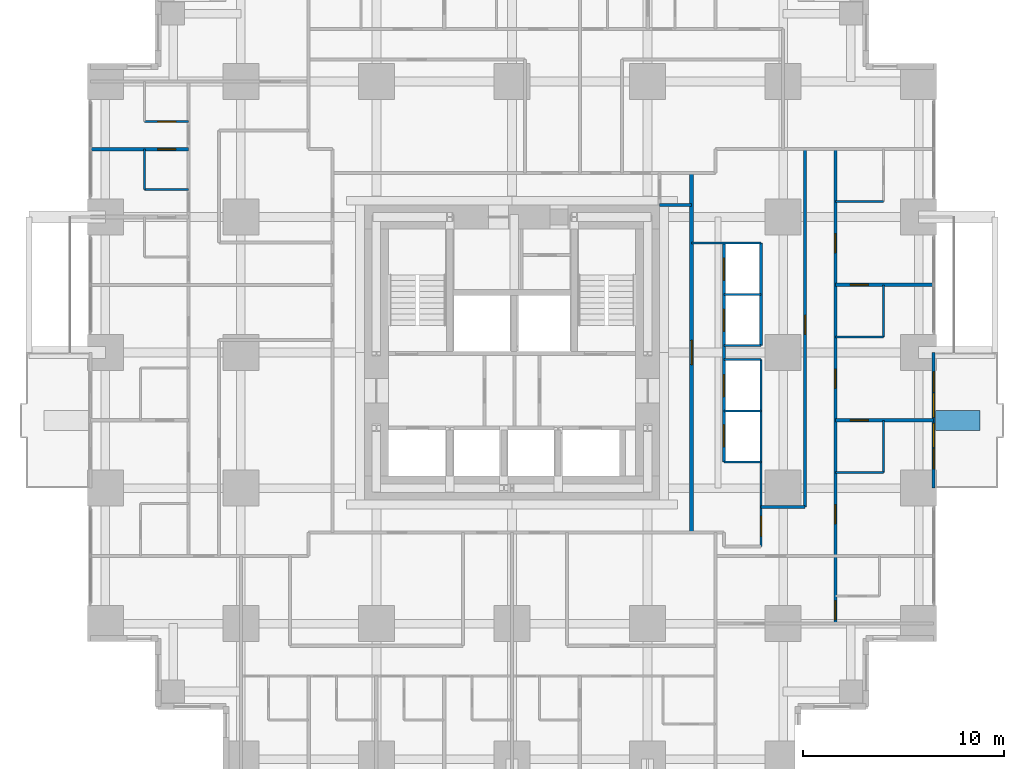
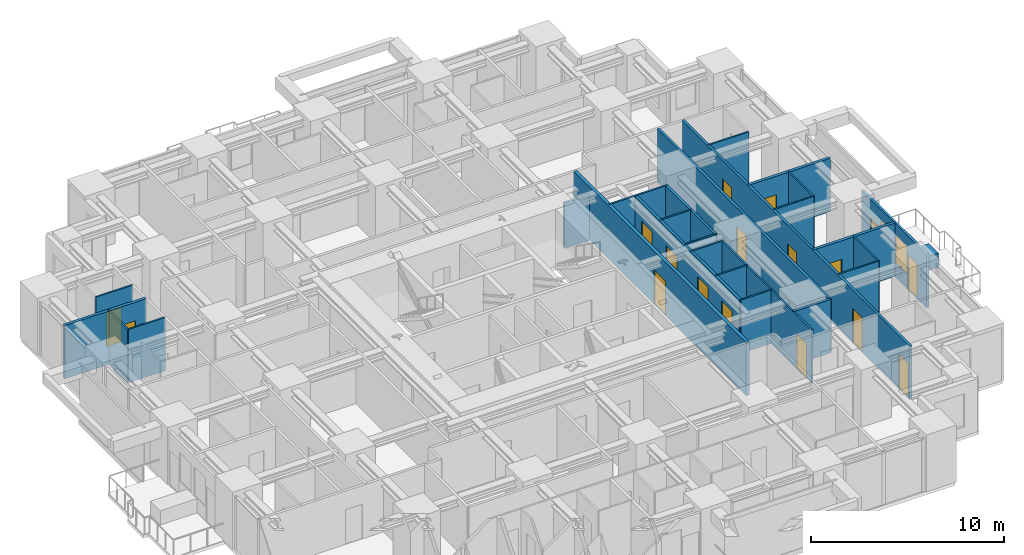
# One storey, part 11 of 14: 27 walls, 17 doors, 2 windows, 19 openings.
"""IFC4 building model written with IfcOpenShell, lengths in metres."""

import ifcopenshell
import ifcopenshell.guid

model = None  # the IFC model being written
_history = None  # IfcOwnerHistory: only IFC2X3 demands one
_inside = {}  # id of a spatial element -> (the spatial element, [elements in it])
_under = {}  # id of a project, library or spatial element -> (it, [spatial elements below it])
_declared = {}  # id of a project -> (the project, [libraries it declares])
_typed = {}  # id of a type object -> (the type object, [elements of that type])
_made_of = {}  # id of a material, layer set ... -> (it, [elements and type objects made of it])


def new_model(schema):
    """Start an empty IFC model of exactly this schema.

    Asked for "IFC4X3", IfcOpenShell would pick the latest addendum, in which some entities
    have other attributes; the version numbers below select the first issue.
    IFC2X3 requires an IfcOwnerHistory on every rooted entity: one is made here for all.
    """
    global model, _history
    if schema == "IFC4X3":
        model = ifcopenshell.file(schema_version=(4, 3, 0, 0))
    else:
        model = ifcopenshell.file(schema=schema)
    _inside.clear()
    _under.clear()
    _declared.clear()
    _typed.clear()
    _made_of.clear()
    _history = None
    if model.schema == "IFC2X3":
        org = make("IfcOrganization", Name="unknown")
        user = make(
            "IfcPersonAndOrganization",
            ThePerson=make("IfcPerson", FamilyName="unknown"),
            TheOrganization=org,
        )
        app = make(
            "IfcApplication",
            ApplicationDeveloper=org,
            Version="unknown",
            ApplicationFullName="unknown",
            ApplicationIdentifier="unknown",
        )
        _history = make(
            "IfcOwnerHistory",
            OwningUser=user,
            OwningApplication=app,
            ChangeAction="ADDED",
            CreationDate=0,
        )
    return model


def make(cls, **values):
    """One entity of the class cls with the attributes given. An attribute that is None is left unset."""
    return model.create_entity(
        cls, **{name: value for name, value in values.items() if value is not None}
    )


def rooted(cls, **values):
    """An entity with a GlobalId (a new one), such as an element, a storey or a relation."""
    return make(cls, GlobalId=ifcopenshell.guid.new(), OwnerHistory=_history, **values)


def si_unit(unit_type, name, prefix=None):
    """IfcSIUnit, for example si_unit("LENGTHUNIT", "METRE", prefix="MILLI")."""
    return make("IfcSIUnit", UnitType=unit_type, Prefix=prefix, Name=name)


def assignment(units):
    """IfcUnitAssignment: the units of a project."""
    return None if units is None else make("IfcUnitAssignment", Units=units)


def point(xyz):
    """IfcCartesianPoint."""
    return None if xyz is None else make("IfcCartesianPoint", Coordinates=xyz)


def direction(xyz):
    """IfcDirection."""
    return None if xyz is None else make("IfcDirection", DirectionRatios=xyz)


def frame(location, z_axis=None, x_axis=None):
    """IfcAxis2Placement3D, a coordinate frame: its origin and axes. An axis left out is left unset."""
    return make(
        "IfcAxis2Placement3D",
        Location=point(location),
        Axis=direction(z_axis),
        RefDirection=direction(x_axis),
    )


def frame_2d(location, x_axis=None):
    """IfcAxis2Placement2D, a coordinate frame in the plane: its origin and x axis."""
    return make(
        "IfcAxis2Placement2D", Location=point(location), RefDirection=direction(x_axis)
    )


def origin():
    """The frame at (0, 0, 0) with its axes left unset."""
    return frame((0.0, 0.0, 0.0))


def place(relative_to, where):
    """IfcLocalPlacement: puts the frame where relative to a parent placement (None: the world)."""
    return make(
        "IfcLocalPlacement", PlacementRelTo=relative_to, RelativePlacement=where
    )


def context(
    kind, dimensions, precision=None, world=None, true_north=None, identifier=None
):
    """IfcGeometricRepresentationContext, for example the 3D "Model" context."""
    return make(
        "IfcGeometricRepresentationContext",
        ContextIdentifier=identifier,
        ContextType=kind,
        CoordinateSpaceDimension=dimensions,
        Precision=precision,
        WorldCoordinateSystem=world,
        TrueNorth=true_north,
    )


def subcontext(parent, identifier, kind, view, scale=None):
    """IfcGeometricRepresentationSubContext, for example "Body" below "Model"."""
    return make(
        "IfcGeometricRepresentationSubContext",
        ContextIdentifier=identifier,
        ContextType=kind,
        ParentContext=parent,
        TargetScale=scale,
        TargetView=view,
    )


def project(units=None, contexts=None):
    """IfcProject with its units and contexts."""
    return rooted(
        "IfcProject",
        Name="project",
        RepresentationContexts=contexts,
        UnitsInContext=assignment(units),
    )


def spatial(cls, under=None, at=None, **own):
    """A site, building, storey or space (cls), placed at a placement, below another one or the project."""
    s = rooted(cls, ObjectPlacement=at, **own)
    if under is not None:
        _under.setdefault(under.id(), (under, []))[1].append(s)
    return s


def profile(cls, at=None, kind="AREA", **sizes):
    """A parametric profile (cls). Its sizes go by their IFC names, for example OverallWidth=200.0."""
    return make(cls, ProfileType=kind, Position=at, **sizes)


def rectangle(**sizes):
    """IfcRectangleProfileDef."""
    return profile("IfcRectangleProfileDef", **sizes)


def extrude(swept, where, along, depth):
    """IfcExtrudedAreaSolid: the profile swept, set in the frame where, extruded along a direction by depth."""
    return make(
        "IfcExtrudedAreaSolid",
        SweptArea=swept,
        Position=where,
        ExtrudedDirection=direction(along),
        Depth=depth,
    )


def shape(context_of_items, identifier, shape_type, items):
    """IfcShapeRepresentation: the items that make up one representation, for example the "Body"."""
    return make(
        "IfcShapeRepresentation",
        ContextOfItems=context_of_items,
        RepresentationIdentifier=identifier,
        RepresentationType=shape_type,
        Items=items,
    )


def material(Name=None, Category=None):
    """IfcMaterial."""
    return make("IfcMaterial", Name=Name, Category=Category)


def layer(
    of_material, thickness, ventilated=None, Name=None, Category=None, Priority=None
):
    """IfcMaterialLayer: one layer of a wall or slab, of a material (None: an air gap)."""
    return make(
        "IfcMaterialLayer",
        Material=of_material,
        LayerThickness=thickness,
        IsVentilated=ventilated,
        Name=Name,
        Category=Category,
        Priority=Priority,
    )


def layer_set(layers, Name=None):
    """IfcMaterialLayerSet."""
    return make("IfcMaterialLayerSet", MaterialLayers=layers, LayerSetName=Name)


def made_of(thing, what):
    """Note that an element or type object is made of a material, layer set ...; save() writes the relation."""
    if what is not None:
        _made_of.setdefault(what.id(), (what, []))[1].append(thing)
    return thing


def type_object(cls, material=None, **own):
    """A type object (cls), such as IfcWallType, which elements share."""
    return made_of(rooted(cls, **own), material)


def element(
    cls,
    number,
    at=None,
    inside=None,
    cuts=None,
    type_object=None,
    material=None,
    context=None,
    identifier="Body",
    shape_type=None,
    held_by="IfcProductDefinitionShape",
    body=None,
    shapes=None,
    **own,
):
    """One element of the class cls, such as IfcWall. Its Tag is "e" and its number.

    at: its placement. inside: the storey or other place that contains it. cuts: it is an
    opening in that element (IfcRelVoidsElement). A single representation is given by context,
    identifier, shape_type and body (its items); several are given by shapes. held_by: the class
    of the entity that holds the representations. save() writes the other relations.
    """
    e = rooted(cls, Tag="e%d" % number, ObjectPlacement=at, **own)
    if body is not None:
        shapes = [shape(context, identifier, shape_type, body)]
    if shapes is not None:
        e.Representation = make(held_by, Representations=shapes)
    if inside is not None:
        _inside.setdefault(inside.id(), (inside, []))[1].append(e)
    if cuts is not None:
        rooted(
            "IfcRelVoidsElement", RelatingBuildingElement=cuts, RelatedOpeningElement=e
        )
    if type_object is not None:
        _typed.setdefault(type_object.id(), (type_object, []))[1].append(e)
    return made_of(e, material)


def fill(opening, filler):
    """IfcRelFillsElement: the door or window that sits in an opening."""
    return rooted(
        "IfcRelFillsElement",
        RelatingOpeningElement=opening,
        RelatedBuildingElement=filler,
    )


def aggregate(whole, parts):
    """IfcRelAggregates: a whole, such as a stair, and the parts it consists of."""
    return rooted("IfcRelAggregates", RelatingObject=whole, RelatedObjects=parts)


def save(model, path):
    """Write the relations noted so far, then the file.

    IfcRelAggregates (storeys below a building ...), IfcRelContainedInSpatialStructure (elements
    in a storey), IfcRelDefinesByType, IfcRelAssociatesMaterial and IfcRelDeclares: one each for
    every whole, place, type object, material and project.
    """
    for whole, parts in _under.values():
        aggregate(whole, parts)
    for where, things in _inside.values():
        rooted(
            "IfcRelContainedInSpatialStructure",
            RelatedElements=things,
            RelatingStructure=where,
        )
    for kind, things in _typed.values():
        rooted("IfcRelDefinesByType", RelatedObjects=things, RelatingType=kind)
    for what, things in _made_of.values():
        rooted("IfcRelAssociatesMaterial", RelatedObjects=things, RelatingMaterial=what)
    for by, libraries in _declared.values():
        rooted("IfcRelDeclares", RelatingContext=by, RelatedDefinitions=libraries)
    model.write(path)


model = new_model("IFC4")

# Units and contexts
model_context = context("Model", 3, precision=1e-05, world=origin(), true_north=direction((0.0, 1.0)))
body_context = subcontext(model_context, "Body", "Model", "MODEL_VIEW")
ifc_project = project(units=[si_unit("LENGTHUNIT", "METRE"), si_unit("AREAUNIT", "SQUARE_METRE"), si_unit("VOLUMEUNIT", "CUBIC_METRE"), si_unit("PLANEANGLEUNIT", "RADIAN"), si_unit("MASSUNIT", "GRAM", prefix="KILO")], contexts=[model_context])

# Site, building, storey
site_placement = place(None, origin())
site = spatial("IfcSite", under=ifc_project, at=site_placement, CompositionType="ELEMENT")
building_placement = place(site_placement, origin())
building = spatial("IfcBuilding", under=site, at=building_placement, Name="Nyansa Garden Tower", CompositionType="ELEMENT")
storey_placement = place(building_placement, frame((0.0, 0.0, 68.39990234375)))
storey = spatial("IfcBuildingStorey", under=building, at=storey_placement, Name="L18", CompositionType="ELEMENT", Elevation=68.39990234375)

# Wall, opening, door
ifc_material_1 = material(Name="Dense blockwork, plastered both sides, 55 dB", Category="masonry")
ifc_layer_1 = layer(ifc_material_1, 0.175048828125)
ifc_layer_set_1 = layer_set([ifc_layer_1], Name="Acoustic party wall PW175")
wall_type_1 = type_object("IfcWallType", Name="Acoustic party wall PW175", PredefinedType="PARTITIONING", material=ifc_layer_set_1)
wall_1_placement = place(storey_placement, frame((-0.73388671875, 30.375, 0.0), z_axis=(0.0, 0.0, 1.0), x_axis=(1.0, 0.0, 0.0)))
wall_1 = element("IfcWall", 1, at=wall_1_placement, inside=storey, type_object=wall_type_1, Name="Party wall", PredefinedType="PARTITIONING", context=body_context, shape_type="SweptSolid", body=[
    extrude(rectangle(XDim=4.8837890625, YDim=0.175048828125, at=frame_2d((2.44189453125, 0.0))), origin(), (0.0, 0.0, 1.0), 3.375),
])
opening_1_placement = place(wall_1_placement, frame((3.333984375, 0.0, 0.0)))
opening_1 = element("IfcOpeningElement", 2, at=opening_1_placement, cuts=wall_1, Name="Opening D02", PredefinedType="OPENING", context=body_context, shape_type="SweptSolid", body=[
    extrude(rectangle(XDim=0.89990234375, YDim=2.199951171875, at=frame_2d((0.449951171875, 1.10009765625))), frame((0.0, 0.097412109375, 0.0), z_axis=(0.0, -1.0, 0.0), x_axis=(1.0, 0.0, 0.0)), (0.0, 0.0, 1.0), 0.195068359375),
])
ifc_material_2 = material(Name="Timber flush door", Category="wood")
door_type_1 = type_object("IfcDoorType", Name="En-suite door D02 900x2200", OperationType="SINGLE_SWING_RIGHT", PredefinedType="DOOR", material=ifc_material_2)
door_1_placement = place(opening_1_placement, origin())
door_1 = element("IfcDoor", 3, at=door_1_placement, inside=storey, type_object=door_type_1, Name="Door L18-065", OperationType="SINGLE_SWING_RIGHT", OverallHeight=2.199951171875, OverallWidth=0.89990234375, PredefinedType="DOOR", context=body_context, shape_type="SweptSolid", body=[
    extrude(rectangle(XDim=0.89990234375, YDim=2.199951171875, at=frame_2d((0.449951171875, 1.10009765625))), frame((0.0, 0.02490234375, 0.0), z_axis=(0.0, -1.0, 0.0), x_axis=(1.0, 0.0, 0.0)), (0.0, 0.0, 1.0), 0.050048828125),
])
fill(opening_1, door_1)

wall_2_placement = place(storey_placement, frame((36.35009765625, 16.875, 0.0), z_axis=(0.0, 0.0, 1.0), x_axis=(1.0, 0.0, 0.0)))
wall_2 = element("IfcWall", 4, at=wall_2_placement, inside=storey, type_object=wall_type_1, Name="Party wall", PredefinedType="PARTITIONING", context=body_context, shape_type="SweptSolid", body=[
    extrude(rectangle(XDim=4.8837890625, YDim=0.175048828125, at=frame_2d((2.44189453125, 0.0))), origin(), (0.0, 0.0, 1.0), 3.375),
])
opening_2_placement = place(wall_2_placement, frame((0.75, 0.0, 0.0)))
opening_2 = element("IfcOpeningElement", 5, at=opening_2_placement, cuts=wall_2, Name="Opening D02", PredefinedType="OPENING", context=body_context, shape_type="SweptSolid", body=[
    extrude(rectangle(XDim=0.89990234375, YDim=2.199951171875, at=frame_2d((0.449951171875, 1.10009765625))), frame((0.0, 0.097412109375, 0.0), z_axis=(0.0, -1.0, 0.0), x_axis=(1.0, 0.0, 0.0)), (0.0, 0.0, 1.0), 0.195068359375),
])
door_2_placement = place(opening_2_placement, origin())
door_2 = element("IfcDoor", 6, at=door_2_placement, inside=storey, type_object=door_type_1, Name="Door L18-045", OperationType="SINGLE_SWING_RIGHT", OverallHeight=2.199951171875, OverallWidth=0.89990234375, PredefinedType="DOOR", context=body_context, shape_type="SweptSolid", body=[
    extrude(rectangle(XDim=0.89990234375, YDim=2.199951171875, at=frame_2d((0.449951171875, 1.10009765625))), frame((0.0, 0.02490234375, 0.0), z_axis=(0.0, -1.0, 0.0), x_axis=(1.0, 0.0, 0.0)), (0.0, 0.0, 1.0), 0.050048828125),
])
fill(opening_2, door_2)

wall_3_placement = place(storey_placement, frame((36.35009765625, 23.625, 0.0), z_axis=(0.0, 0.0, 1.0), x_axis=(1.0, 0.0, 0.0)))
wall_3 = element("IfcWall", 7, at=wall_3_placement, inside=storey, type_object=wall_type_1, Name="Party wall", PredefinedType="PARTITIONING", context=body_context, shape_type="SweptSolid", body=[
    extrude(rectangle(XDim=4.8837890625, YDim=0.175048828125, at=frame_2d((2.44189453125, 0.0))), origin(), (0.0, 0.0, 1.0), 3.375),
])
opening_3_placement = place(wall_3_placement, frame((0.75, 0.0, 0.0)))
opening_3 = element("IfcOpeningElement", 8, at=opening_3_placement, cuts=wall_3, Name="Opening D02", PredefinedType="OPENING", context=body_context, shape_type="SweptSolid", body=[
    extrude(rectangle(XDim=0.89990234375, YDim=2.199951171875, at=frame_2d((0.449951171875, 1.10009765625))), frame((0.0, 0.097412109375, 0.0), z_axis=(0.0, -1.0, 0.0), x_axis=(1.0, 0.0, 0.0)), (0.0, 0.0, 1.0), 0.195068359375),
])
door_3_placement = place(opening_3_placement, origin())
door_3 = element("IfcDoor", 9, at=door_3_placement, inside=storey, type_object=door_type_1, Name="Door L18-043", OperationType="SINGLE_SWING_RIGHT", OverallHeight=2.199951171875, OverallWidth=0.89990234375, PredefinedType="DOOR", context=body_context, shape_type="SweptSolid", body=[
    extrude(rectangle(XDim=0.89990234375, YDim=2.199951171875, at=frame_2d((0.449951171875, 1.10009765625))), frame((0.0, 0.02490234375, 0.0), z_axis=(0.0, -1.0, 0.0), x_axis=(1.0, 0.0, 0.0)), (0.0, 0.0, 1.0), 0.050048828125),
])
fill(opening_3, door_3)

# Wall, openings, doors, windows
ifc_material_3 = material(Name="Black aluminium framed glazed screen", Category="aluminium")
ifc_layer_2 = layer(ifc_material_3, 0.14990234375)
ifc_layer_set_2 = layer_set([ifc_layer_2], Name="Balcony screen wall BW150")
wall_type_2 = type_object("IfcWallType", Name="Balcony screen wall BW150", PredefinedType="SOLIDWALL", material=ifc_layer_set_2)
wall_4_placement = place(storey_placement, frame((41.25, 20.25, 0.0), z_axis=(0.0, 0.0, 1.0), x_axis=(0.0, -1.0, 0.0)))
wall_4 = element("IfcWall", 10, at=wall_4_placement, inside=storey, type_object=wall_type_2, Name="Glazed screen wall L18 E", PredefinedType="SOLIDWALL", context=body_context, shape_type="SweptSolid", body=[
    extrude(rectangle(XDim=6.75, YDim=0.14990234375, at=frame_2d((3.375, 0.0))), origin(), (0.0, 0.0, 1.0), 3.375),
])
opening_4_placement = place(wall_4_placement, frame((0.96240234375, 0.0, 0.0)))
opening_4 = element("IfcOpeningElement", 11, at=opening_4_placement, cuts=wall_4, Name="Opening D20", PredefinedType="OPENING", context=body_context, shape_type="SweptSolid", body=[
    extrude(rectangle(XDim=1.0, YDim=2.199951171875, at=frame_2d((0.5, 1.10009765625))), frame((0.0, 0.0849609375, 0.0), z_axis=(0.0, -1.0, 0.0), x_axis=(1.0, 0.0, 0.0)), (0.0, 0.0, 1.0), 0.169921875),
])
opening_5_placement = place(wall_4_placement, frame((2.02490234375, 0.0, 0.89990234375)))
opening_5 = element("IfcOpeningElement", 12, at=opening_5_placement, cuts=wall_4, Name="Opening W6", PredefinedType="OPENING", context=body_context, shape_type="SweptSolid", body=[
    extrude(rectangle(XDim=1.199951171875, YDim=1.800048828125, at=frame_2d((0.60009765625, 0.89990234375))), frame((0.0, 0.0849609375, 0.0), z_axis=(0.0, -1.0, 0.0), x_axis=(1.0, 0.0, 0.0)), (0.0, 0.0, 1.0), 0.169921875),
])
opening_6_placement = place(wall_4_placement, frame((4.78759765625, 0.0, 0.0)))
opening_6 = element("IfcOpeningElement", 13, at=opening_6_placement, cuts=wall_4, Name="Opening D20", PredefinedType="OPENING", context=body_context, shape_type="SweptSolid", body=[
    extrude(rectangle(XDim=1.0, YDim=2.199951171875, at=frame_2d((0.5, 1.10009765625))), frame((0.0, 0.0849609375, 0.0), z_axis=(0.0, -1.0, 0.0), x_axis=(1.0, 0.0, 0.0)), (0.0, 0.0, 1.0), 0.169921875),
])
opening_7_placement = place(wall_4_placement, frame((3.52490234375, 0.0, 0.89990234375)))
opening_7 = element("IfcOpeningElement", 14, at=opening_7_placement, cuts=wall_4, Name="Opening W6", PredefinedType="OPENING", context=body_context, shape_type="SweptSolid", body=[
    extrude(rectangle(XDim=1.199951171875, YDim=1.800048828125, at=frame_2d((0.60009765625, 0.89990234375))), frame((0.0, 0.0849609375, 0.0), z_axis=(0.0, -1.0, 0.0), x_axis=(1.0, 0.0, 0.0)), (0.0, 0.0, 1.0), 0.169921875),
])
ifc_material_4 = material(Name="Black aluminium framed glazed door", Category="aluminium")
door_type_2 = type_object("IfcDoorType", Name="Balcony door D20 1000x2200", OperationType="NOTDEFINED", PredefinedType="DOOR", material=ifc_material_4)
door_4_placement = place(opening_4_placement, origin())
door_4 = element("IfcDoor", 15, at=door_4_placement, inside=storey, type_object=door_type_2, Name="Balcony door L18", OperationType="SINGLE_SWING_LEFT", OverallHeight=2.199951171875, OverallWidth=1.0, PredefinedType="DOOR", context=body_context, shape_type="SweptSolid", body=[
    extrude(rectangle(XDim=1.0, YDim=2.199951171875, at=frame_2d((0.5, 1.10009765625))), frame((0.0, 0.02490234375, 0.0), z_axis=(0.0, -1.0, 0.0), x_axis=(1.0, 0.0, 0.0)), (0.0, 0.0, 1.0), 0.050048828125),
])
fill(opening_4, door_4)
door_5_placement = place(opening_6_placement, origin())
door_5 = element("IfcDoor", 16, at=door_5_placement, inside=storey, type_object=door_type_2, Name="Balcony door L18", OperationType="SINGLE_SWING_RIGHT", OverallHeight=2.199951171875, OverallWidth=1.0, PredefinedType="DOOR", context=body_context, shape_type="SweptSolid", body=[
    extrude(rectangle(XDim=1.0, YDim=2.199951171875, at=frame_2d((0.5, 1.10009765625))), frame((0.0, 0.02490234375, 0.0), z_axis=(0.0, -1.0, 0.0), x_axis=(1.0, 0.0, 0.0)), (0.0, 0.0, 1.0), 0.050048828125),
])
fill(opening_6, door_5)
ifc_material_5 = material(Name="Black aluminium frame, dark tinted double glazing", Category="aluminium")
window_type = type_object("IfcWindowType", Name="Balcony window W6 1200x1800", PartitioningType="SINGLE_PANEL", PredefinedType="WINDOW", material=ifc_material_5)
window_1_placement = place(opening_5_placement, origin())
window_1 = element("IfcWindow", 17, at=window_1_placement, inside=storey, type_object=window_type, Name="Window L18", OverallHeight=1.800048828125, OverallWidth=1.199951171875, PartitioningType="SINGLE_PANEL", PredefinedType="WINDOW", context=body_context, shape_type="SweptSolid", body=[
    extrude(rectangle(XDim=1.199951171875, YDim=1.800048828125, at=frame_2d((0.60009765625, 0.89990234375))), frame((0.0, 0.030029296875, 0.0), z_axis=(0.0, -1.0, 0.0), x_axis=(1.0, 0.0, 0.0)), (0.0, 0.0, 1.0), 0.06005859375),
])
fill(opening_5, window_1)
window_2_placement = place(opening_7_placement, origin())
window_2 = element("IfcWindow", 18, at=window_2_placement, inside=storey, type_object=window_type, Name="Window L18", OverallHeight=1.800048828125, OverallWidth=1.199951171875, PartitioningType="SINGLE_PANEL", PredefinedType="WINDOW", context=body_context, shape_type="SweptSolid", body=[
    extrude(rectangle(XDim=1.199951171875, YDim=1.800048828125, at=frame_2d((0.60009765625, 0.89990234375))), frame((0.0, 0.030029296875, 0.0), z_axis=(0.0, -1.0, 0.0), x_axis=(1.0, 0.0, 0.0)), (0.0, 0.0, 1.0), 0.06005859375),
])
fill(opening_7, window_2)

# Wall, opening, door
ifc_material_6 = material(Name="Concrete blockwork, plastered, 60 minute fire resisting", Category="masonry")
ifc_layer_3 = layer(ifc_material_6, 0.199951171875)
ifc_layer_set_3 = layer_set([ifc_layer_3], Name="Corridor wall FW200")
wall_type_3 = type_object("IfcWallType", Name="Corridor wall FW200", PredefinedType="PARTITIONING", material=ifc_layer_set_3)
wall_5_placement = place(storey_placement, frame((29.199951171875, 11.300048828125, 0.0), z_axis=(0.0, 0.0, 1.0), x_axis=(0.0, 1.0, 0.0)))
wall_5 = element("IfcWall", 19, at=wall_5_placement, inside=storey, type_object=wall_type_3, Name="Corridor wall", PredefinedType="PARTITIONING", context=body_context, shape_type="SweptSolid", body=[
    extrude(rectangle(XDim=17.89990234375, YDim=0.199951171875, at=frame_2d((8.949951171875, 0.0))), origin(), (0.0, 0.0, 1.0), 3.375),
])
opening_8_placement = place(wall_5_placement, frame((8.35009765625, 0.0, 0.0)))
opening_8 = element("IfcOpeningElement", 20, at=opening_8_placement, cuts=wall_5, Name="Opening D06", PredefinedType="OPENING", context=body_context, shape_type="SweptSolid", body=[
    extrude(rectangle(XDim=1.199951171875, YDim=2.199951171875, at=frame_2d((0.60009765625, 1.10009765625))), frame((0.0, 0.10986328125, 0.0), z_axis=(0.0, -1.0, 0.0), x_axis=(1.0, 0.0, 0.0)), (0.0, 0.0, 1.0), 0.219970703125),
])
ifc_material_7 = material(Name="Steel door, 120 minute fire resisting", Category="steel")
door_type_3 = type_object("IfcDoorType", Name="Lobby door D06 1200x2200", OperationType="DOUBLE_DOOR_SINGLE_SWING", PredefinedType="DOOR", material=ifc_material_7)
door_6_placement = place(opening_8_placement, origin())
door_6 = element("IfcDoor", 21, at=door_6_placement, inside=storey, type_object=door_type_3, Name="Low-rise lift lobby door", OperationType="DOUBLE_DOOR_SINGLE_SWING", OverallHeight=2.199951171875, OverallWidth=1.199951171875, PredefinedType="DOOR", context=body_context, shape_type="SweptSolid", body=[
    extrude(rectangle(XDim=1.199951171875, YDim=2.199951171875, at=frame_2d((0.60009765625, 1.10009765625))), frame((0.0, 0.02490234375, 0.0), z_axis=(0.0, -1.0, 0.0), x_axis=(1.0, 0.0, 0.0)), (0.0, 0.0, 1.0), 0.050048828125),
])
fill(opening_8, door_6)

# Walls
ifc_material_8 = material(Name="Steel-stud shaft wall, two layers fire-rated board, EI 120", Category="steel")
ifc_layer_4 = layer(ifc_material_8, 0.10009765625)
ifc_layer_set_4 = layer_set([ifc_layer_4], Name="Lift shaft wall SW100")
wall_type_4 = type_object("IfcWallType", Name="Lift shaft wall SW100", PredefinedType="SHEAR", material=ifc_layer_set_4)
wall_6_placement = place(storey_placement, frame((29.199951171875, 25.699951171875, 0.0), z_axis=(0.0, 0.0, 1.0), x_axis=(1.0, 0.0, 0.0)))
element("IfcWall", 22, at=wall_6_placement, inside=storey, type_object=wall_type_4, Name="Lift shaft wall", PredefinedType="SHEAR", context=body_context, shape_type="SweptSolid", body=[
    extrude(rectangle(XDim=3.449951171875, YDim=0.10009765625, at=frame_2d((1.72509765625, 0.0))), origin(), (0.0, 0.0, 1.0), 3.375),
])
for number, where, z_axis, x_axis, name in (
    (23, (30.800048828125, 14.800048828125, 0.0), (0.0, 0.0, 1.0), (1.0, 0.0, 0.0), "Lift shaft wall"),
    (24, (30.800048828125, 17.35009765625, 0.0), (0.0, 0.0, 1.0), (1.0, 0.0, 0.0), "Lift shaft wall"),
    (25, (30.800048828125, 19.89990234375, 0.0), (0.0, 0.0, 1.0), (1.0, 0.0, 0.0), "Lift shaft wall"),
    (26, (30.800048828125, 20.60009765625, 0.0), (0.0, 0.0, 1.0), (1.0, 0.0, 0.0), "Lift shaft wall"),
    (27, (30.800048828125, 23.14990234375, 0.0), (0.0, 0.0, 1.0), (1.0, 0.0, 0.0), "Lift shaft wall"),
):
    element("IfcWall", number, at=place(storey_placement, frame(where, z_axis=z_axis, x_axis=x_axis)), inside=storey, type_object=wall_type_4, Name=name, PredefinedType="SHEAR", context=body_context, shape_type="SweptSolid", body=[
        extrude(rectangle(XDim=1.849853515625, YDim=0.10009765625, at=frame_2d((0.9248046875, 0.0))), origin(), (0.0, 0.0, 1.0), 3.375),
    ])

# Wall, opening, door
wall_7_placement = place(storey_placement, frame((32.64990234375, 10.60009765625, 0.0), z_axis=(0.0, 0.0, 1.0), x_axis=(0.0, 1.0, 0.0)))
wall_7 = element("IfcWall", 28, at=wall_7_placement, inside=storey, type_object=wall_type_4, Name="Lift shaft wall", PredefinedType="SHEAR", context=body_context, shape_type="SweptSolid", body=[
    extrude(rectangle(XDim=9.2998046875, YDim=0.10009765625, at=frame_2d((4.64990234375, 0.0))), origin(), (0.0, 0.0, 1.0), 3.375),
])
opening_9_placement = place(wall_7_placement, frame((0.5, 0.0, 0.0)))
opening_9 = element("IfcOpeningElement", 29, at=opening_9_placement, cuts=wall_7, Name="Opening D03", PredefinedType="OPENING", context=body_context, shape_type="SweptSolid", body=[
    extrude(rectangle(XDim=1.0, YDim=2.199951171875, at=frame_2d((0.5, 1.10009765625))), frame((0.0, 0.06005859375, 0.0), z_axis=(0.0, -1.0, 0.0), x_axis=(1.0, 0.0, 0.0)), (0.0, 0.0, 1.0), 0.1201171875),
])
ifc_material_9 = material(Name="Timber flush door, 60 minute fire resisting", Category="wood")
door_type_4 = type_object("IfcDoorType", Name="Cluster entrance door D03 1000x2200", OperationType="SINGLE_SWING_LEFT", PredefinedType="DOOR", material=ifc_material_9)
door_7_placement = place(opening_9_placement, origin())
door_7 = element("IfcDoor", 30, at=door_7_placement, inside=storey, type_object=door_type_4, Name="Door L18-046", OperationType="SINGLE_SWING_LEFT", OverallHeight=2.199951171875, OverallWidth=1.0, PredefinedType="DOOR", context=body_context, shape_type="SweptSolid", body=[
    extrude(rectangle(XDim=1.0, YDim=2.199951171875, at=frame_2d((0.5, 1.10009765625))), frame((0.0, 0.02490234375, 0.0), z_axis=(0.0, -1.0, 0.0), x_axis=(1.0, 0.0, 0.0)), (0.0, 0.0, 1.0), 0.050048828125),
])
fill(opening_9, door_7)

# Wall
ifc_material_10 = material(Name="Blockwork, plastered both sides", Category="masonry")
ifc_layer_5 = layer(ifc_material_10, 0.14990234375)
ifc_layer_set_5 = layer_set([ifc_layer_5], Name="Partition PW150")
wall_type_5 = type_object("IfcWallType", Name="Partition PW150", PredefinedType="PARTITIONING", material=ifc_layer_set_5)
wall_8_placement = place(storey_placement, frame((27.60009765625, 27.60009765625, 0.0), z_axis=(0.0, 0.0, 1.0), x_axis=(1.0, 0.0, 0.0)))
element("IfcWall", 31, at=wall_8_placement, inside=storey, type_object=wall_type_5, Name="Partition", PredefinedType="PARTITIONING", context=body_context, shape_type="SweptSolid", body=[
    extrude(rectangle(XDim=1.599853515625, YDim=0.14990234375, at=frame_2d((0.7998046875, 0.0))), origin(), (0.0, 0.0, 1.0), 2.877197265625),
])

# Wall, openings, doors
wall_9_placement = place(storey_placement, frame((30.800048828125, 14.800048828125, 0.0), z_axis=(0.0, 0.0, 1.0), x_axis=(0.0, 1.0, 0.0)))
wall_9 = element("IfcWall", 32, at=wall_9_placement, inside=storey, type_object=wall_type_5, Name="Partition", PredefinedType="PARTITIONING", context=body_context, shape_type="SweptSolid", body=[
    extrude(rectangle(XDim=10.89990234375, YDim=0.14990234375, at=frame_2d((5.449951171875, 0.0))), origin(), (0.0, 0.0, 1.0), 3.375),
])
opening_10_placement = place(wall_9_placement, frame((0.75, 0.0, 0.0)))
opening_10 = element("IfcOpeningElement", 33, at=opening_10_placement, cuts=wall_9, Name="Opening LD-A", PredefinedType="OPENING", context=body_context, shape_type="SweptSolid", body=[
    extrude(rectangle(XDim=1.10009765625, YDim=2.199951171875, at=frame_2d((0.550048828125, 1.10009765625))), frame((0.0, 0.0849609375, 0.0), z_axis=(0.0, -1.0, 0.0), x_axis=(1.0, 0.0, 0.0)), (0.0, 0.0, 1.0), 0.169921875),
])
opening_11_placement = place(wall_9_placement, frame((3.25, 0.0, 0.0)))
opening_11 = element("IfcOpeningElement", 34, at=opening_11_placement, cuts=wall_9, Name="Opening LD-A", PredefinedType="OPENING", context=body_context, shape_type="SweptSolid", body=[
    extrude(rectangle(XDim=1.10009765625, YDim=2.199951171875, at=frame_2d((0.550048828125, 1.10009765625))), frame((0.0, 0.0849609375, 0.0), z_axis=(0.0, -1.0, 0.0), x_axis=(1.0, 0.0, 0.0)), (0.0, 0.0, 1.0), 0.169921875),
])
opening_12_placement = place(wall_9_placement, frame((6.5, 0.0, 0.0)))
opening_12 = element("IfcOpeningElement", 35, at=opening_12_placement, cuts=wall_9, Name="Opening LD-A", PredefinedType="OPENING", context=body_context, shape_type="SweptSolid", body=[
    extrude(rectangle(XDim=1.10009765625, YDim=2.199951171875, at=frame_2d((0.550048828125, 1.10009765625))), frame((0.0, 0.0849609375, 0.0), z_axis=(0.0, -1.0, 0.0), x_axis=(1.0, 0.0, 0.0)), (0.0, 0.0, 1.0), 0.169921875),
])
opening_13_placement = place(wall_9_placement, frame((9.050048828125, 0.0, 0.0)))
opening_13 = element("IfcOpeningElement", 36, at=opening_13_placement, cuts=wall_9, Name="Opening LD-A", PredefinedType="OPENING", context=body_context, shape_type="SweptSolid", body=[
    extrude(rectangle(XDim=1.10009765625, YDim=2.199951171875, at=frame_2d((0.550048828125, 1.10009765625))), frame((0.0, 0.0849609375, 0.0), z_axis=(0.0, -1.0, 0.0), x_axis=(1.0, 0.0, 0.0)), (0.0, 0.0, 1.0), 0.169921875),
])
ifc_material_11 = material(Name="Stainless steel centre-opening landing door of the low-rise lift, E 120", Category="steel")
door_type_5 = type_object("IfcDoorType", Name="Lift landing door LD-A 1100x2200", OperationType="DOUBLE_DOOR_SLIDING", PredefinedType="DOOR", material=ifc_material_11)
door_8_placement = place(opening_10_placement, origin())
door_8 = element("IfcDoor", 37, at=door_8_placement, inside=storey, type_object=door_type_5, Name="Landing door A1", OperationType="DOUBLE_DOOR_SLIDING", OverallHeight=2.199951171875, OverallWidth=1.10009765625, PredefinedType="DOOR", context=body_context, shape_type="SweptSolid", body=[
    extrude(rectangle(XDim=1.10009765625, YDim=2.199951171875, at=frame_2d((0.550048828125, 1.10009765625))), frame((0.0, 0.02490234375, 0.0), z_axis=(0.0, -1.0, 0.0), x_axis=(1.0, 0.0, 0.0)), (0.0, 0.0, 1.0), 0.050048828125),
])
fill(opening_10, door_8)
door_9_placement = place(opening_11_placement, origin())
door_9 = element("IfcDoor", 38, at=door_9_placement, inside=storey, type_object=door_type_5, Name="Landing door A2", OperationType="DOUBLE_DOOR_SLIDING", OverallHeight=2.199951171875, OverallWidth=1.10009765625, PredefinedType="DOOR", context=body_context, shape_type="SweptSolid", body=[
    extrude(rectangle(XDim=1.10009765625, YDim=2.199951171875, at=frame_2d((0.550048828125, 1.10009765625))), frame((0.0, 0.02490234375, 0.0), z_axis=(0.0, -1.0, 0.0), x_axis=(1.0, 0.0, 0.0)), (0.0, 0.0, 1.0), 0.050048828125),
])
fill(opening_11, door_9)
door_10_placement = place(opening_12_placement, origin())
door_10 = element("IfcDoor", 39, at=door_10_placement, inside=storey, type_object=door_type_5, Name="Landing door A3", OperationType="DOUBLE_DOOR_SLIDING", OverallHeight=2.199951171875, OverallWidth=1.10009765625, PredefinedType="DOOR", context=body_context, shape_type="SweptSolid", body=[
    extrude(rectangle(XDim=1.10009765625, YDim=2.199951171875, at=frame_2d((0.550048828125, 1.10009765625))), frame((0.0, 0.02490234375, 0.0), z_axis=(0.0, -1.0, 0.0), x_axis=(1.0, 0.0, 0.0)), (0.0, 0.0, 1.0), 0.050048828125),
])
fill(opening_12, door_10)
door_11_placement = place(opening_13_placement, origin())
door_11 = element("IfcDoor", 40, at=door_11_placement, inside=storey, type_object=door_type_5, Name="Landing door A4", OperationType="DOUBLE_DOOR_SLIDING", OverallHeight=2.199951171875, OverallWidth=1.10009765625, PredefinedType="DOOR", context=body_context, shape_type="SweptSolid", body=[
    extrude(rectangle(XDim=1.10009765625, YDim=2.199951171875, at=frame_2d((0.550048828125, 1.10009765625))), frame((0.0, 0.02490234375, 0.0), z_axis=(0.0, -1.0, 0.0), x_axis=(1.0, 0.0, 0.0)), (0.0, 0.0, 1.0), 0.050048828125),
])
fill(opening_13, door_11)

# Walls
wall_10_placement = place(storey_placement, frame((32.64990234375, 12.550048828125, 0.0), z_axis=(0.0, 0.0, 1.0), x_axis=(1.0, 0.0, 0.0)))
element("IfcWall", 41, at=wall_10_placement, inside=storey, type_object=wall_type_5, Name="Partition", PredefinedType="PARTITIONING", context=body_context, shape_type="SweptSolid", body=[
    extrude(rectangle(XDim=2.2001953125, YDim=0.14990234375, at=frame_2d((1.10009765625, 0.0))), origin(), (0.0, 0.0, 1.0), 3.375),
])
wall_11_placement = place(storey_placement, frame((32.64990234375, 20.60009765625, 0.0), z_axis=(0.0, 0.0, 1.0), x_axis=(0.0, 1.0, 0.0)))
element("IfcWall", 42, at=wall_11_placement, inside=storey, type_object=wall_type_5, Name="Partition", PredefinedType="PARTITIONING", context=body_context, shape_type="SweptSolid", body=[
    extrude(rectangle(XDim=5.099853515625, YDim=0.14990234375, at=frame_2d((2.5498046875, 0.0))), origin(), (0.0, 0.0, 1.0), 3.375),
])

# Wall, opening, door
wall_12_placement = place(storey_placement, frame((34.85009765625, 12.550048828125, 0.0), z_axis=(0.0, 0.0, 1.0), x_axis=(0.0, 1.0, 0.0)))
wall_12 = element("IfcWall", 43, at=wall_12_placement, inside=storey, type_object=wall_type_5, Name="Partition", PredefinedType="PARTITIONING", context=body_context, shape_type="SweptSolid", body=[
    extrude(rectangle(XDim=17.824951171875, YDim=0.14990234375, at=frame_2d((8.91259765625, 0.0))), origin(), (0.0, 0.0, 1.0), 3.375),
])
opening_14_placement = place(wall_12_placement, frame((8.60009765625, 0.0, 0.0)))
opening_14 = element("IfcOpeningElement", 44, at=opening_14_placement, cuts=wall_12, Name="Opening D01", PredefinedType="OPENING", context=body_context, shape_type="SweptSolid", body=[
    extrude(rectangle(XDim=0.949951171875, YDim=2.199951171875, at=frame_2d((0.47509765625, 1.10009765625))), frame((0.0, 0.0849609375, 0.0), z_axis=(0.0, -1.0, 0.0), x_axis=(1.0, 0.0, 0.0)), (0.0, 0.0, 1.0), 0.169921875),
])
ifc_material_12 = material(Name="Timber flush door, 30 minute fire resisting", Category="wood")
door_type_6 = type_object("IfcDoorType", Name="Bedroom door D01 950x2200", OperationType="SINGLE_SWING_LEFT", PredefinedType="DOOR", material=ifc_material_12)
door_12_placement = place(opening_14_placement, origin())
door_12 = element("IfcDoor", 45, at=door_12_placement, inside=storey, type_object=door_type_6, Name="Door L18-047", OperationType="SINGLE_SWING_LEFT", OverallHeight=2.199951171875, OverallWidth=0.949951171875, PredefinedType="DOOR", context=body_context, shape_type="SweptSolid", body=[
    extrude(rectangle(XDim=0.949951171875, YDim=2.199951171875, at=frame_2d((0.47509765625, 1.10009765625))), frame((0.0, 0.02490234375, 0.0), z_axis=(0.0, -1.0, 0.0), x_axis=(1.0, 0.0, 0.0)), (0.0, 0.0, 1.0), 0.050048828125),
])
fill(opening_14, door_12)

# Wall, openings, doors
wall_13_placement = place(storey_placement, frame((36.35009765625, 6.75, 0.0), z_axis=(0.0, 0.0, 1.0), x_axis=(0.0, 1.0, 0.0)))
wall_13 = element("IfcWall", 46, at=wall_13_placement, inside=storey, type_object=wall_type_5, Name="Partition", PredefinedType="PARTITIONING", context=body_context, shape_type="SweptSolid", body=[
    extrude(rectangle(XDim=23.625, YDim=0.14990234375, at=frame_2d((11.8125, 0.0))), origin(), (0.0, 0.0, 1.0), 3.375),
])
opening_15_placement = place(wall_13_placement, frame((0.199951171875, 0.0, 0.0)))
opening_15 = element("IfcOpeningElement", 47, at=opening_15_placement, cuts=wall_13, Name="Opening D01", PredefinedType="OPENING", context=body_context, shape_type="SweptSolid", body=[
    extrude(rectangle(XDim=0.949951171875, YDim=2.199951171875, at=frame_2d((0.47509765625, 1.10009765625))), frame((0.0, 0.0849609375, 0.0), z_axis=(0.0, -1.0, 0.0), x_axis=(1.0, 0.0, 0.0)), (0.0, 0.0, 1.0), 0.169921875),
])
opening_16_placement = place(wall_13_placement, frame((18.47509765625, 0.0, 0.0)))
opening_16 = element("IfcOpeningElement", 48, at=opening_16_placement, cuts=wall_13, Name="Opening D14", PredefinedType="OPENING", context=body_context, shape_type="SweptSolid", body=[
    extrude(rectangle(XDim=0.949951171875, YDim=2.199951171875, at=frame_2d((0.47509765625, 1.10009765625))), frame((0.0, 0.0849609375, 0.0), z_axis=(0.0, -1.0, 0.0), x_axis=(1.0, 0.0, 0.0)), (0.0, 0.0, 1.0), 0.169921875),
])
opening_17_placement = place(wall_13_placement, frame((11.72509765625, 0.0, 0.0)))
opening_17 = element("IfcOpeningElement", 49, at=opening_17_placement, cuts=wall_13, Name="Opening D14", PredefinedType="OPENING", context=body_context, shape_type="SweptSolid", body=[
    extrude(rectangle(XDim=0.949951171875, YDim=2.199951171875, at=frame_2d((0.47509765625, 1.10009765625))), frame((0.0, 0.0849609375, 0.0), z_axis=(0.0, -1.0, 0.0), x_axis=(1.0, 0.0, 0.0)), (0.0, 0.0, 1.0), 0.169921875),
])
opening_18_placement = place(wall_13_placement, frame((4.97509765625, 0.0, 0.0)))
opening_18 = element("IfcOpeningElement", 50, at=opening_18_placement, cuts=wall_13, Name="Opening D14", PredefinedType="OPENING", context=body_context, shape_type="SweptSolid", body=[
    extrude(rectangle(XDim=0.949951171875, YDim=2.199951171875, at=frame_2d((0.47509765625, 1.10009765625))), frame((0.0, 0.0849609375, 0.0), z_axis=(0.0, -1.0, 0.0), x_axis=(1.0, 0.0, 0.0)), (0.0, 0.0, 1.0), 0.169921875),
])
door_13_placement = place(opening_15_placement, origin())
door_13 = element("IfcDoor", 51, at=door_13_placement, inside=storey, type_object=door_type_6, Name="Door L18-037", OperationType="SINGLE_SWING_LEFT", OverallHeight=2.199951171875, OverallWidth=0.949951171875, PredefinedType="DOOR", context=body_context, shape_type="SweptSolid", body=[
    extrude(rectangle(XDim=0.949951171875, YDim=2.199951171875, at=frame_2d((0.47509765625, 1.10009765625))), frame((0.0, 0.02490234375, 0.0), z_axis=(0.0, -1.0, 0.0), x_axis=(1.0, 0.0, 0.0)), (0.0, 0.0, 1.0), 0.050048828125),
])
fill(opening_15, door_13)
ifc_material_13 = material(Name="Timber flush door, 60 minute fire resisting, self-closing", Category="wood")
door_type_7 = type_object("IfcDoorType", Name="Studio entrance door D14 950x2200", OperationType="SINGLE_SWING_LEFT", PredefinedType="DOOR", material=ifc_material_13)
door_14_placement = place(opening_16_placement, origin())
door_14 = element("IfcDoor", 52, at=door_14_placement, inside=storey, type_object=door_type_7, Name="Door L18-040", OperationType="SINGLE_SWING_LEFT", OverallHeight=2.199951171875, OverallWidth=0.949951171875, PredefinedType="DOOR", context=body_context, shape_type="SweptSolid", body=[
    extrude(rectangle(XDim=0.949951171875, YDim=2.199951171875, at=frame_2d((0.47509765625, 1.10009765625))), frame((0.0, 0.02490234375, 0.0), z_axis=(0.0, -1.0, 0.0), x_axis=(1.0, 0.0, 0.0)), (0.0, 0.0, 1.0), 0.050048828125),
])
fill(opening_16, door_14)
door_15_placement = place(opening_17_placement, origin())
door_15 = element("IfcDoor", 53, at=door_15_placement, inside=storey, type_object=door_type_7, Name="Door L18-042", OperationType="SINGLE_SWING_LEFT", OverallHeight=2.199951171875, OverallWidth=0.949951171875, PredefinedType="DOOR", context=body_context, shape_type="SweptSolid", body=[
    extrude(rectangle(XDim=0.949951171875, YDim=2.199951171875, at=frame_2d((0.47509765625, 1.10009765625))), frame((0.0, 0.02490234375, 0.0), z_axis=(0.0, -1.0, 0.0), x_axis=(1.0, 0.0, 0.0)), (0.0, 0.0, 1.0), 0.050048828125),
])
fill(opening_17, door_15)
door_16_placement = place(opening_18_placement, origin())
door_16 = element("IfcDoor", 54, at=door_16_placement, inside=storey, type_object=door_type_7, Name="Door L18-044", OperationType="SINGLE_SWING_LEFT", OverallHeight=2.199951171875, OverallWidth=0.949951171875, PredefinedType="DOOR", context=body_context, shape_type="SweptSolid", body=[
    extrude(rectangle(XDim=0.949951171875, YDim=2.199951171875, at=frame_2d((0.47509765625, 1.10009765625))), frame((0.0, 0.02490234375, 0.0), z_axis=(0.0, -1.0, 0.0), x_axis=(1.0, 0.0, 0.0)), (0.0, 0.0, 1.0), 0.050048828125),
])
fill(opening_18, door_16)

# Walls
ifc_material_14 = material(Name="Concrete C40/50 planter, waterproofed", Category="concrete")
ifc_layer_6 = layer(ifc_material_14, 1.0)
ifc_layer_set_6 = layer_set([ifc_layer_6], Name="Tree planter TP1")
wall_type_6 = type_object("IfcWallType", Name="Tree planter TP1", PredefinedType="USERDEFINED", material=ifc_layer_set_6)
wall_14_placement = place(storey_placement, frame((41.35009765625, 16.875, 0.0), z_axis=(0.0, 0.0, 1.0), x_axis=(1.0, 0.0, 0.0)))
element("IfcWall", 55, at=wall_14_placement, inside=storey, type_object=wall_type_6, Name="Tree planter L18", ObjectType="TREE PLANTER", PredefinedType="USERDEFINED", context=body_context, shape_type="SweptSolid", body=[
    extrude(rectangle(XDim=2.199951171875, YDim=1.0, at=frame_2d((1.10009765625, 0.0))), origin(), (0.0, 0.0, 1.0), 0.900146484375),
])
ifc_material_15 = material(Name="Moisture resistant board on steel studs, tiled", Category="steel")
ifc_layer_7 = layer(ifc_material_15, 0.10009765625)
ifc_layer_set_7 = layer_set([ifc_layer_7], Name="Wet wall PW100")
wall_type_7 = type_object("IfcWallType", Name="Wet wall PW100", PredefinedType="PARTITIONING", material=ifc_layer_set_7)
wall_15_placement = place(storey_placement, frame((1.949951171875, 28.375, 0.0), z_axis=(0.0, 0.0, 1.0), x_axis=(0.0, 1.0, 0.0)))
element("IfcWall", 56, at=wall_15_placement, inside=storey, type_object=wall_type_7, Name="Wet wall", PredefinedType="PARTITIONING", context=body_context, shape_type="SweptSolid", body=[
    extrude(rectangle(XDim=2.0, YDim=0.10009765625, at=frame_2d((1.0, 0.0))), origin(), (0.0, 0.0, 1.0), 3.375),
])
wall_16_placement = place(storey_placement, frame((1.949951171875, 28.375, 0.0), z_axis=(0.0, 0.0, 1.0), x_axis=(1.0, 0.0, 0.0)))
element("IfcWall", 57, at=wall_16_placement, inside=storey, type_object=wall_type_7, Name="Wet wall", PredefinedType="PARTITIONING", context=body_context, shape_type="SweptSolid", body=[
    extrude(rectangle(XDim=2.199951171875, YDim=0.10009765625, at=frame_2d((1.10009765625, 0.0))), origin(), (0.0, 0.0, 1.0), 3.375),
])

# Wall, opening, door
wall_17_placement = place(storey_placement, frame((1.949951171875, 31.75, 0.0), z_axis=(0.0, 0.0, 1.0), x_axis=(1.0, 0.0, 0.0)))
wall_17 = element("IfcWall", 58, at=wall_17_placement, inside=storey, type_object=wall_type_7, Name="Wet wall", PredefinedType="PARTITIONING", context=body_context, shape_type="SweptSolid", body=[
    extrude(rectangle(XDim=2.199951171875, YDim=0.10009765625, at=frame_2d((1.10009765625, 0.0))), origin(), (0.0, 0.0, 1.0), 3.375),
])
opening_19_placement = place(wall_17_placement, frame((0.64990234375, 0.0, 0.0)))
opening_19 = element("IfcOpeningElement", 59, at=opening_19_placement, cuts=wall_17, Name="Opening D02", PredefinedType="OPENING", context=body_context, shape_type="SweptSolid", body=[
    extrude(rectangle(XDim=0.89990234375, YDim=2.199951171875, at=frame_2d((0.449951171875, 1.10009765625))), frame((0.0, 0.06005859375, 0.0), z_axis=(0.0, -1.0, 0.0), x_axis=(1.0, 0.0, 0.0)), (0.0, 0.0, 1.0), 0.1201171875),
])
door_17_placement = place(opening_19_placement, origin())
door_17 = element("IfcDoor", 60, at=door_17_placement, inside=storey, type_object=door_type_1, Name="Door L18-063", OperationType="SINGLE_SWING_RIGHT", OverallHeight=2.199951171875, OverallWidth=0.89990234375, PredefinedType="DOOR", context=body_context, shape_type="SweptSolid", body=[
    extrude(rectangle(XDim=0.89990234375, YDim=2.199951171875, at=frame_2d((0.449951171875, 1.10009765625))), frame((0.0, 0.02490234375, 0.0), z_axis=(0.0, -1.0, 0.0), x_axis=(1.0, 0.0, 0.0)), (0.0, 0.0, 1.0), 0.050048828125),
])
fill(opening_19, door_17)

# Walls
for number, where, z_axis, x_axis, name in (
    (61, (36.35009765625, 14.27490234375, 0.0), (0.0, 0.0, 1.0), (1.0, 0.0, 0.0), "Wet wall"),
    (62, (36.35009765625, 21.02490234375, 0.0), (0.0, 0.0, 1.0), (1.0, 0.0, 0.0), "Wet wall"),
    (63, (36.35009765625, 27.77490234375, 0.0), (0.0, 0.0, 1.0), (1.0, 0.0, 0.0), "Wet wall"),
):
    element("IfcWall", number, at=place(storey_placement, frame(where, z_axis=z_axis, x_axis=x_axis)), inside=storey, type_object=wall_type_7, Name=name, PredefinedType="PARTITIONING", context=body_context, shape_type="SweptSolid", body=[
        extrude(rectangle(XDim=2.39990234375, YDim=0.10009765625, at=frame_2d((1.199951171875, 0.0))), origin(), (0.0, 0.0, 1.0), 3.375),
    ])
for number, where, z_axis, x_axis, name in (
    (64, (38.75, 14.27490234375, 0.0), (0.0, 0.0, 1.0), (0.0, 1.0, 0.0), "Wet wall"),
    (65, (38.75, 21.02490234375, 0.0), (0.0, 0.0, 1.0), (0.0, 1.0, 0.0), "Wet wall"),
):
    element("IfcWall", number, at=place(storey_placement, frame(where, z_axis=z_axis, x_axis=x_axis)), inside=storey, type_object=wall_type_7, Name=name, PredefinedType="PARTITIONING", context=body_context, shape_type="SweptSolid", body=[
        extrude(rectangle(XDim=2.60009765625, YDim=0.10009765625, at=frame_2d((1.300048828125, 0.0))), origin(), (0.0, 0.0, 1.0), 3.375),
    ])

save(model, "model.ifc")
